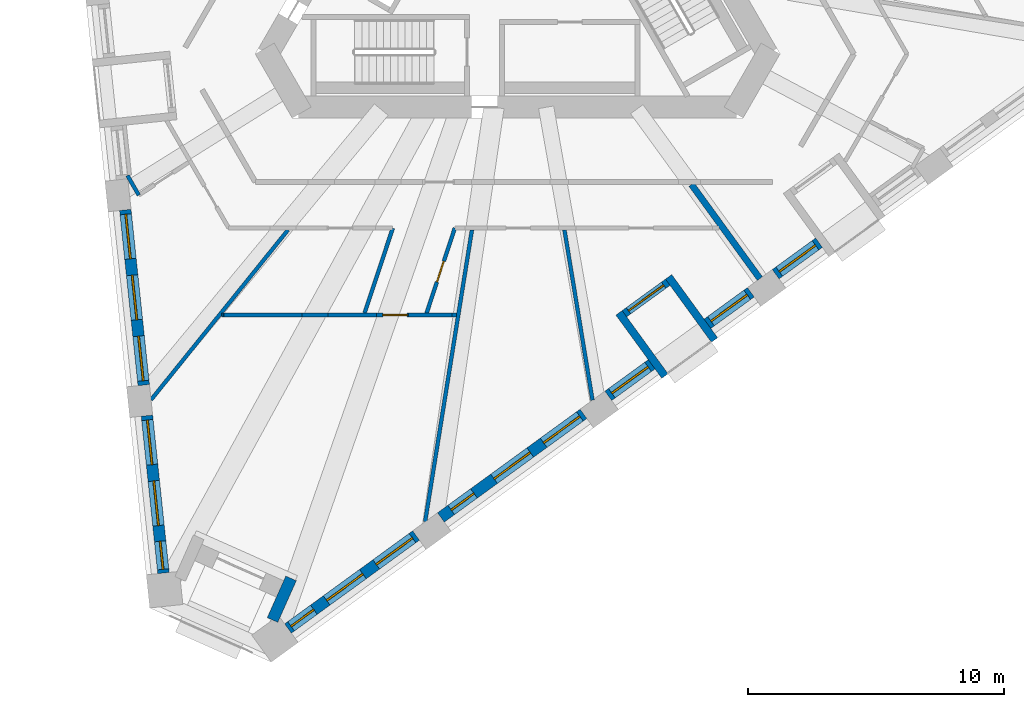
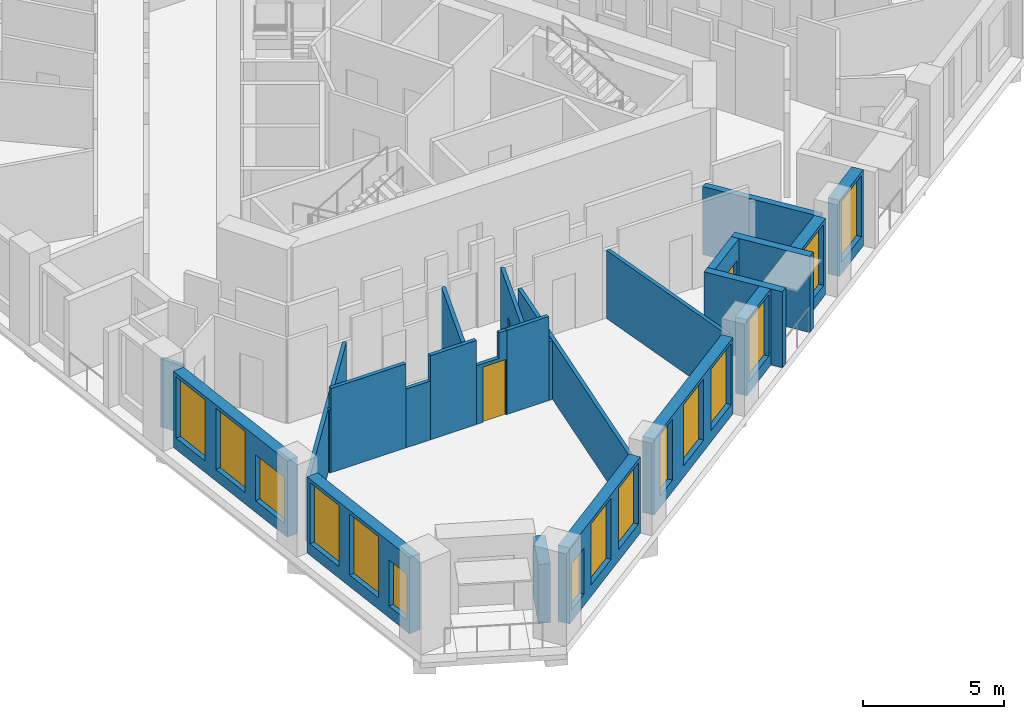
# One storey, part 2 of 14: 25 walls, 15 windows, 3 doors, 18 openings.
"""IFC4 building model written with IfcOpenShell, lengths in metres."""

from ifc_helpers import new_model, si_unit, direction, frame, frame_2d, origin, place, context, subcontext, project, spatial, polyline, rectangle, outline, extrude, material, layer, layer_set, type_object, element, fill, save


model = new_model("IFC4")

# Units and contexts
model_context = context("Model", 3, precision=1e-05, world=origin(), true_north=direction((0.0, 1.0)))
body_context = subcontext(model_context, "Body", "Model", "MODEL_VIEW")
ifc_project = project(units=[si_unit("LENGTHUNIT", "METRE"), si_unit("AREAUNIT", "SQUARE_METRE"), si_unit("VOLUMEUNIT", "CUBIC_METRE"), si_unit("PLANEANGLEUNIT", "RADIAN"), si_unit("MASSUNIT", "GRAM", prefix="KILO")], contexts=[model_context])

# Site, building, storey
site_placement = place(None, origin())
site = spatial("IfcSite", under=ifc_project, at=site_placement, CompositionType="ELEMENT")
building_placement = place(site_placement, origin())
building = spatial("IfcBuilding", under=site, at=building_placement, Name="Tramontana Tower", CompositionType="ELEMENT")
storey_placement = place(building_placement, frame((0.0, 0.0, 166.800048828125)))
storey = spatial("IfcBuildingStorey", under=building, at=storey_placement, Name="L38", CompositionType="ELEMENT", Elevation=166.800048828125)

# Wall, openings, windows
ifc_material_1 = material(Name="Precast concrete 60 MPa", Category="concrete")
ifc_layer_1 = layer(ifc_material_1, 0.449951171875)
ifc_layer_set_1 = layer_set([ifc_layer_1], Name="Precast concrete 60 MPa, 450 mm")
wall_type_1 = type_object("IfcWallType", Name="EW1 Stone-faced precast wall 450", PredefinedType="SOLIDWALL", material=ifc_layer_set_1)
wall_1_placement = place(storey_placement, frame((-15.327880859375, -10.341796875, 0.0), z_axis=(0.0, 0.0, 1.0), x_axis=(0.104531531326, -0.994521572898, 0.0)))
wall_1 = element("IfcWall", 1, at=wall_1_placement, inside=storey, type_object=wall_type_1, Name="External wall L38 face 0 bay 5", PredefinedType="SOLIDWALL", context=body_context, shape_type="SweptSolid", body=[
    extrude(rectangle(XDim=6.8828125, YDim=0.449951171875, at=frame_2d((3.44140625, 0.0))), origin(), (0.0, 0.0, 1.0), 3.300048828125),
])
opening_1_placement = place(wall_1_placement, frame((0.172119140625, 0.0, 0.5)))
opening_1 = element("IfcOpeningElement", 2, at=opening_1_placement, cuts=wall_1, Name="Opening M2", PredefinedType="OPENING", context=body_context, shape_type="SweptSolid", body=[
    extrude(rectangle(XDim=1.75, YDim=2.64990234375, at=frame_2d((0.875, 1.324951171875))), frame((0.0, 0.23486328125, 0.0), z_axis=(0.0, -1.0, 0.0), x_axis=(1.0, 0.0, 0.0)), (0.0, 0.0, 1.0), 0.469970703125),
])
opening_2_placement = place(wall_1_placement, frame((2.56640625, 0.0, 0.5)))
opening_2 = element("IfcOpeningElement", 3, at=opening_2_placement, cuts=wall_1, Name="Opening M2", PredefinedType="OPENING", context=body_context, shape_type="SweptSolid", body=[
    extrude(rectangle(XDim=1.75, YDim=2.64990234375, at=frame_2d((0.875, 1.324951171875))), frame((0.0, 0.23486328125, 0.0), z_axis=(0.0, -1.0, 0.0), x_axis=(1.0, 0.0, 0.0)), (0.0, 0.0, 1.0), 0.469970703125),
])
opening_3_placement = place(wall_1_placement, frame((4.960693359375, 0.0, 0.5)))
opening_3 = element("IfcOpeningElement", 4, at=opening_3_placement, cuts=wall_1, Name="Opening M2L", PredefinedType="OPENING", context=body_context, shape_type="SweptSolid", body=[
    extrude(rectangle(XDim=1.75, YDim=2.0, at=frame_2d((0.875, 1.0))), frame((0.0, 0.23486328125, 0.0), z_axis=(0.0, -1.0, 0.0), x_axis=(1.0, 0.0, 0.0)), (0.0, 0.0, 1.0), 0.469970703125),
])
ifc_material_2 = material(Name="Aluminum frame, double glazing unit", Category="aluminium")
window_type_1 = type_object("IfcWindowType", Name="M2 Window 1.75 x 2.65", PartitioningType="SINGLE_PANEL", PredefinedType="WINDOW", material=ifc_material_2)
window_1_placement = place(opening_1_placement, origin())
window_1 = element("IfcWindow", 5, at=window_1_placement, inside=storey, type_object=window_type_1, Name="Window M2 L38 face 0 module 13", OverallHeight=2.64990234375, OverallWidth=1.75, PartitioningType="SINGLE_PANEL", PredefinedType="WINDOW", context=body_context, shape_type="SweptSolid", body=[
    extrude(rectangle(XDim=1.75, YDim=2.64990234375, at=frame_2d((0.875, 1.324951171875))), frame((0.0, 0.030029296875, 0.0), z_axis=(0.0, -1.0, 0.0), x_axis=(1.0, 0.0, 0.0)), (0.0, 0.0, 1.0), 0.06005859375),
])
fill(opening_1, window_1)
window_2_placement = place(opening_2_placement, origin())
window_2 = element("IfcWindow", 6, at=window_2_placement, inside=storey, type_object=window_type_1, Name="Window M2 L38 face 0 module 14", OverallHeight=2.64990234375, OverallWidth=1.75, PartitioningType="SINGLE_PANEL", PredefinedType="WINDOW", context=body_context, shape_type="SweptSolid", body=[
    extrude(rectangle(XDim=1.75, YDim=2.64990234375, at=frame_2d((0.875, 1.324951171875))), frame((0.0, 0.030029296875, 0.0), z_axis=(0.0, -1.0, 0.0), x_axis=(1.0, 0.0, 0.0)), (0.0, 0.0, 1.0), 0.06005859375),
])
fill(opening_2, window_2)
ifc_material_3 = material(Name="Aluminum frame, double glazing unit", Category="aluminium")
window_type_2 = type_object("IfcWindowType", Name="M2L Window 1.75 x 2", PartitioningType="SINGLE_PANEL", PredefinedType="WINDOW", material=ifc_material_3)
window_3_placement = place(opening_3_placement, origin())
window_3 = element("IfcWindow", 7, at=window_3_placement, inside=storey, type_object=window_type_2, Name="Window M2L L38 face 0 module 15", OverallHeight=2.0, OverallWidth=1.75, PartitioningType="SINGLE_PANEL", PredefinedType="WINDOW", context=body_context, shape_type="SweptSolid", body=[
    extrude(rectangle(XDim=1.75, YDim=2.0, at=frame_2d((0.875, 1.0))), frame((0.0, 0.030029296875, 0.0), z_axis=(0.0, -1.0, 0.0), x_axis=(1.0, 0.0, 0.0)), (0.0, 0.0, 1.0), 0.06005859375),
])
fill(opening_3, window_3)

wall_2_placement = place(storey_placement, frame((-14.483154296875, -18.38037109375, 0.0), z_axis=(0.0, 0.0, 1.0), x_axis=(0.104557348575, -0.994518858976, 0.0)))
wall_2 = element("IfcWall", 8, at=wall_2_placement, inside=storey, type_object=wall_type_1, Name="External wall L38 face 0 bay 6", PredefinedType="SOLIDWALL", context=body_context, shape_type="SweptSolid", body=[
    extrude(rectangle(XDim=6.18310546875, YDim=0.449951171875, at=frame_2d((3.091552734375, 0.0))), origin(), (0.0, 0.0, 1.0), 3.300048828125),
])
opening_4_placement = place(wall_2_placement, frame((0.172119140625, 0.0, 0.5)))
opening_4 = element("IfcOpeningElement", 9, at=opening_4_placement, cuts=wall_2, Name="Opening M2", PredefinedType="OPENING", context=body_context, shape_type="SweptSolid", body=[
    extrude(rectangle(XDim=1.75, YDim=2.64990234375, at=frame_2d((0.875, 1.324951171875))), frame((0.0, 0.23486328125, 0.0), z_axis=(0.0, -1.0, 0.0), x_axis=(1.0, 0.0, 0.0)), (0.0, 0.0, 1.0), 0.469970703125),
])
opening_5_placement = place(wall_2_placement, frame((2.56640625, 0.0, 0.5)))
opening_5 = element("IfcOpeningElement", 10, at=opening_5_placement, cuts=wall_2, Name="Opening M2", PredefinedType="OPENING", context=body_context, shape_type="SweptSolid", body=[
    extrude(rectangle(XDim=1.75, YDim=2.64990234375, at=frame_2d((0.875, 1.324951171875))), frame((0.0, 0.23486328125, 0.0), z_axis=(0.0, -1.0, 0.0), x_axis=(1.0, 0.0, 0.0)), (0.0, 0.0, 1.0), 0.469970703125),
])
opening_6_placement = place(wall_2_placement, frame((4.935791015625, 0.0, 0.5)))
opening_6 = element("IfcOpeningElement", 11, at=opening_6_placement, cuts=wall_2, Name="Opening N2L", PredefinedType="OPENING", context=body_context, shape_type="SweptSolid", body=[
    extrude(rectangle(XDim=1.10009765625, YDim=2.0, at=frame_2d((0.550048828125, 1.0))), frame((0.0, 0.23486328125, 0.0), z_axis=(0.0, -1.0, 0.0), x_axis=(1.0, 0.0, 0.0)), (0.0, 0.0, 1.0), 0.469970703125),
])
window_4_placement = place(opening_4_placement, origin())
window_4 = element("IfcWindow", 12, at=window_4_placement, inside=storey, type_object=window_type_1, Name="Window M2 L38 face 0 module 16", OverallHeight=2.64990234375, OverallWidth=1.75, PartitioningType="SINGLE_PANEL", PredefinedType="WINDOW", context=body_context, shape_type="SweptSolid", body=[
    extrude(rectangle(XDim=1.75, YDim=2.64990234375, at=frame_2d((0.875, 1.324951171875))), frame((0.0, 0.030029296875, 0.0), z_axis=(0.0, -1.0, 0.0), x_axis=(1.0, 0.0, 0.0)), (0.0, 0.0, 1.0), 0.06005859375),
])
fill(opening_4, window_4)
window_5_placement = place(opening_5_placement, origin())
window_5 = element("IfcWindow", 13, at=window_5_placement, inside=storey, type_object=window_type_1, Name="Window M2 L38 face 0 module 17", OverallHeight=2.64990234375, OverallWidth=1.75, PartitioningType="SINGLE_PANEL", PredefinedType="WINDOW", context=body_context, shape_type="SweptSolid", body=[
    extrude(rectangle(XDim=1.75, YDim=2.64990234375, at=frame_2d((0.875, 1.324951171875))), frame((0.0, 0.030029296875, 0.0), z_axis=(0.0, -1.0, 0.0), x_axis=(1.0, 0.0, 0.0)), (0.0, 0.0, 1.0), 0.06005859375),
])
fill(opening_5, window_5)
ifc_material_4 = material(Name="Aluminum frame, double glazing unit", Category="aluminium")
window_type_3 = type_object("IfcWindowType", Name="N2L Window 1.1 x 2", PartitioningType="SINGLE_PANEL", PredefinedType="WINDOW", material=ifc_material_4)
window_6_placement = place(opening_6_placement, origin())
window_6 = element("IfcWindow", 14, at=window_6_placement, inside=storey, type_object=window_type_3, Name="Window N2L L38 face 0 module 18", OverallHeight=2.0, OverallWidth=1.10009765625, PartitioningType="SINGLE_PANEL", PredefinedType="WINDOW", context=body_context, shape_type="SweptSolid", body=[
    extrude(rectangle(XDim=1.10009765625, YDim=2.0, at=frame_2d((0.550048828125, 1.0))), frame((0.0, 0.030029296875, 0.0), z_axis=(0.0, -1.0, 0.0), x_axis=(1.0, 0.0, 0.0)), (0.0, 0.0, 1.0), 0.06005859375),
])
fill(opening_6, window_6)

wall_3_placement = place(storey_placement, frame((-8.97021484375, -26.696044921875, 0.0), z_axis=(0.0, 0.0, 1.0), x_axis=(0.809024567544, 0.587774828578, 0.0)))
wall_3 = element("IfcWall", 15, at=wall_3_placement, inside=storey, type_object=wall_type_1, Name="External wall L38 face 1 bay 1", PredefinedType="SOLIDWALL", context=body_context, shape_type="SweptSolid", body=[
    extrude(rectangle(XDim=6.1826171875, YDim=0.449951171875, at=frame_2d((3.09130859375, 0.0))), origin(), (0.0, 0.0, 1.0), 3.300048828125),
])
opening_7_placement = place(wall_3_placement, frame((0.147216796875, 0.0, 0.5)))
opening_7 = element("IfcOpeningElement", 16, at=opening_7_placement, cuts=wall_3, Name="Opening N2L", PredefinedType="OPENING", context=body_context, shape_type="SweptSolid", body=[
    extrude(rectangle(XDim=1.10009765625, YDim=2.0, at=frame_2d((0.550048828125, 1.0))), frame((0.0, 0.23486328125, 0.0), z_axis=(0.0, -1.0, 0.0), x_axis=(1.0, 0.0, 0.0)), (0.0, 0.0, 1.0), 0.469970703125),
])
opening_8_placement = place(wall_3_placement, frame((1.866455078125, 0.0, 0.5)))
opening_8 = element("IfcOpeningElement", 17, at=opening_8_placement, cuts=wall_3, Name="Opening M2", PredefinedType="OPENING", context=body_context, shape_type="SweptSolid", body=[
    extrude(rectangle(XDim=1.75, YDim=2.64990234375, at=frame_2d((0.875, 1.324951171875))), frame((0.0, 0.23486328125, 0.0), z_axis=(0.0, -1.0, 0.0), x_axis=(1.0, 0.0, 0.0)), (0.0, 0.0, 1.0), 0.469970703125),
])
opening_9_placement = place(wall_3_placement, frame((4.2607421875, 0.0, 0.5)))
opening_9 = element("IfcOpeningElement", 18, at=opening_9_placement, cuts=wall_3, Name="Opening M2", PredefinedType="OPENING", context=body_context, shape_type="SweptSolid", body=[
    extrude(rectangle(XDim=1.75, YDim=2.64990234375, at=frame_2d((0.875, 1.324951171875))), frame((0.0, 0.23486328125, 0.0), z_axis=(0.0, -1.0, 0.0), x_axis=(1.0, 0.0, 0.0)), (0.0, 0.0, 1.0), 0.469970703125),
])
window_7_placement = place(opening_8_placement, origin())
window_7 = element("IfcWindow", 19, at=window_7_placement, inside=storey, type_object=window_type_1, Name="Window M2 L38 face 1 module 2", OverallHeight=2.64990234375, OverallWidth=1.75, PartitioningType="SINGLE_PANEL", PredefinedType="WINDOW", context=body_context, shape_type="SweptSolid", body=[
    extrude(rectangle(XDim=1.75, YDim=2.64990234375, at=frame_2d((0.875, 1.324951171875))), frame((0.0, 0.030029296875, 0.0), z_axis=(0.0, -1.0, 0.0), x_axis=(1.0, 0.0, 0.0)), (0.0, 0.0, 1.0), 0.06005859375),
])
fill(opening_8, window_7)
window_8_placement = place(opening_9_placement, origin())
window_8 = element("IfcWindow", 20, at=window_8_placement, inside=storey, type_object=window_type_1, Name="Window M2 L38 face 1 module 3", OverallHeight=2.64990234375, OverallWidth=1.75, PartitioningType="SINGLE_PANEL", PredefinedType="WINDOW", context=body_context, shape_type="SweptSolid", body=[
    extrude(rectangle(XDim=1.75, YDim=2.64990234375, at=frame_2d((0.875, 1.324951171875))), frame((0.0, 0.030029296875, 0.0), z_axis=(0.0, -1.0, 0.0), x_axis=(1.0, 0.0, 0.0)), (0.0, 0.0, 1.0), 0.06005859375),
])
fill(opening_9, window_8)
window_9_placement = place(opening_7_placement, origin())
window_9 = element("IfcWindow", 21, at=window_9_placement, inside=storey, type_object=window_type_3, Name="Window N2L L38 face 1 module 1", OverallHeight=2.0, OverallWidth=1.10009765625, PartitioningType="SINGLE_PANEL", PredefinedType="WINDOW", context=body_context, shape_type="SweptSolid", body=[
    extrude(rectangle(XDim=1.10009765625, YDim=2.0, at=frame_2d((0.550048828125, 1.0))), frame((0.0, 0.030029296875, 0.0), z_axis=(0.0, -1.0, 0.0), x_axis=(1.0, 0.0, 0.0)), (0.0, 0.0, 1.0), 0.06005859375),
])
fill(opening_7, window_9)

wall_4_placement = place(storey_placement, frame((-2.997314453125, -22.3564453125, 0.0), z_axis=(0.0, 0.0, 1.0), x_axis=(0.809016690404, 0.587785670672, 0.0)))
wall_4 = element("IfcWall", 22, at=wall_4_placement, inside=storey, type_object=wall_type_1, Name="External wall L38 face 1 bay 2", PredefinedType="SOLIDWALL", context=body_context, shape_type="SweptSolid", body=[
    extrude(rectangle(XDim=6.8828125, YDim=0.449951171875, at=frame_2d((3.44140625, 0.0))), origin(), (0.0, 0.0, 1.0), 3.300048828125),
])
opening_10_placement = place(wall_4_placement, frame((0.4970703125, 0.0, 0.5)))
opening_10 = element("IfcOpeningElement", 23, at=opening_10_placement, cuts=wall_4, Name="Opening N2", PredefinedType="OPENING", context=body_context, shape_type="SweptSolid", body=[
    extrude(rectangle(XDim=1.10009765625, YDim=2.64990234375, at=frame_2d((0.550048828125, 1.324951171875))), frame((0.0, 0.23486328125, 0.0), z_axis=(0.0, -1.0, 0.0), x_axis=(1.0, 0.0, 0.0)), (0.0, 0.0, 1.0), 0.469970703125),
])
opening_11_placement = place(wall_4_placement, frame((2.56640625, 0.0, 0.5)))
opening_11 = element("IfcOpeningElement", 24, at=opening_11_placement, cuts=wall_4, Name="Opening M2", PredefinedType="OPENING", context=body_context, shape_type="SweptSolid", body=[
    extrude(rectangle(XDim=1.75, YDim=2.64990234375, at=frame_2d((0.875, 1.324951171875))), frame((0.0, 0.23486328125, 0.0), z_axis=(0.0, -1.0, 0.0), x_axis=(1.0, 0.0, 0.0)), (0.0, 0.0, 1.0), 0.469970703125),
])
opening_12_placement = place(wall_4_placement, frame((4.960693359375, 0.0, 0.5)))
opening_12 = element("IfcOpeningElement", 25, at=opening_12_placement, cuts=wall_4, Name="Opening M2", PredefinedType="OPENING", context=body_context, shape_type="SweptSolid", body=[
    extrude(rectangle(XDim=1.75, YDim=2.64990234375, at=frame_2d((0.875, 1.324951171875))), frame((0.0, 0.23486328125, 0.0), z_axis=(0.0, -1.0, 0.0), x_axis=(1.0, 0.0, 0.0)), (0.0, 0.0, 1.0), 0.469970703125),
])
window_10_placement = place(opening_11_placement, origin())
window_10 = element("IfcWindow", 26, at=window_10_placement, inside=storey, type_object=window_type_1, Name="Window M2 L38 face 1 module 5", OverallHeight=2.64990234375, OverallWidth=1.75, PartitioningType="SINGLE_PANEL", PredefinedType="WINDOW", context=body_context, shape_type="SweptSolid", body=[
    extrude(rectangle(XDim=1.75, YDim=2.64990234375, at=frame_2d((0.875, 1.324951171875))), frame((0.0, 0.030029296875, 0.0), z_axis=(0.0, -1.0, 0.0), x_axis=(1.0, 0.0, 0.0)), (0.0, 0.0, 1.0), 0.06005859375),
])
fill(opening_11, window_10)
window_11_placement = place(opening_12_placement, origin())
window_11 = element("IfcWindow", 27, at=window_11_placement, inside=storey, type_object=window_type_1, Name="Window M2 L38 face 1 module 6", OverallHeight=2.64990234375, OverallWidth=1.75, PartitioningType="SINGLE_PANEL", PredefinedType="WINDOW", context=body_context, shape_type="SweptSolid", body=[
    extrude(rectangle(XDim=1.75, YDim=2.64990234375, at=frame_2d((0.875, 1.324951171875))), frame((0.0, 0.030029296875, 0.0), z_axis=(0.0, -1.0, 0.0), x_axis=(1.0, 0.0, 0.0)), (0.0, 0.0, 1.0), 0.06005859375),
])
fill(opening_12, window_11)
ifc_material_5 = material(Name="Aluminum frame, double glazing unit", Category="aluminium")
window_type_4 = type_object("IfcWindowType", Name="N2 Window 1.1 x 2.65", PartitioningType="SINGLE_PANEL", PredefinedType="WINDOW", material=ifc_material_5)
window_12_placement = place(opening_10_placement, origin())
window_12 = element("IfcWindow", 28, at=window_12_placement, inside=storey, type_object=window_type_4, Name="Window N2 L38 face 1 module 4", OverallHeight=2.64990234375, OverallWidth=1.10009765625, PartitioningType="SINGLE_PANEL", PredefinedType="WINDOW", context=body_context, shape_type="SweptSolid", body=[
    extrude(rectangle(XDim=1.10009765625, YDim=2.64990234375, at=frame_2d((0.550048828125, 1.324951171875))), frame((0.0, 0.030029296875, 0.0), z_axis=(0.0, -1.0, 0.0), x_axis=(1.0, 0.0, 0.0)), (0.0, 0.0, 1.0), 0.06005859375),
])
fill(opening_10, window_12)

# Wall, opening, window
wall_5_placement = place(storey_placement, frame((3.541748046875, -17.60546875, 0.0), z_axis=(0.0, 0.0, 1.0), x_axis=(0.809028366311, 0.587769599847, 0.0)))
wall_5 = element("IfcWall", 29, at=wall_5_placement, inside=storey, type_object=wall_type_1, Name="External wall L38 face 1 bay 3", PredefinedType="SOLIDWALL", context=body_context, shape_type="SweptSolid", body=[
    extrude(rectangle(XDim=2.09423828125, YDim=0.449951171875, at=frame_2d((1.047119140625, 0.0))), origin(), (0.0, 0.0, 1.0), 3.300048828125),
])
opening_13_placement = place(wall_5_placement, frame((0.172119140625, 0.0, 0.5)))
opening_13 = element("IfcOpeningElement", 30, at=opening_13_placement, cuts=wall_5, Name="Opening M2", PredefinedType="OPENING", context=body_context, shape_type="SweptSolid", body=[
    extrude(rectangle(XDim=1.75, YDim=2.64990234375, at=frame_2d((0.875, 1.324951171875))), frame((0.0, 0.23486328125, 0.0), z_axis=(0.0, -1.0, 0.0), x_axis=(1.0, 0.0, 0.0)), (0.0, 0.0, 1.0), 0.469970703125),
])
window_13_placement = place(opening_13_placement, origin())
window_13 = element("IfcWindow", 31, at=window_13_placement, inside=storey, type_object=window_type_1, Name="Window M2 L38 face 1 module 7", OverallHeight=2.64990234375, OverallWidth=1.75, PartitioningType="SINGLE_PANEL", PredefinedType="WINDOW", context=body_context, shape_type="SweptSolid", body=[
    extrude(rectangle(XDim=1.75, YDim=2.64990234375, at=frame_2d((0.875, 1.324951171875))), frame((0.0, 0.030029296875, 0.0), z_axis=(0.0, -1.0, 0.0), x_axis=(1.0, 0.0, 0.0)), (0.0, 0.0, 1.0), 0.06005859375),
])
fill(opening_13, window_13)

wall_6_placement = place(storey_placement, frame((7.415771484375, -14.790771484375, 0.0), z_axis=(0.0, 0.0, 1.0), x_axis=(0.809028366311, 0.587769599847, 0.0)))
wall_6 = element("IfcWall", 32, at=wall_6_placement, inside=storey, type_object=wall_type_1, Name="External wall L38 face 1 bay 3", PredefinedType="SOLIDWALL", context=body_context, shape_type="SweptSolid", body=[
    extrude(rectangle(XDim=2.09423828125, YDim=0.449951171875, at=frame_2d((1.047119140625, 0.0))), origin(), (0.0, 0.0, 1.0), 3.300048828125),
])
opening_14_placement = place(wall_6_placement, frame((0.172119140625, 0.0, 0.5)))
opening_14 = element("IfcOpeningElement", 33, at=opening_14_placement, cuts=wall_6, Name="Opening M2", PredefinedType="OPENING", context=body_context, shape_type="SweptSolid", body=[
    extrude(rectangle(XDim=1.75, YDim=2.64990234375, at=frame_2d((0.875, 1.324951171875))), frame((0.0, 0.23486328125, 0.0), z_axis=(0.0, -1.0, 0.0), x_axis=(1.0, 0.0, 0.0)), (0.0, 0.0, 1.0), 0.469970703125),
])
window_14_placement = place(opening_14_placement, origin())
window_14 = element("IfcWindow", 34, at=window_14_placement, inside=storey, type_object=window_type_1, Name="Window M2 L38 face 1 module 9", OverallHeight=2.64990234375, OverallWidth=1.75, PartitioningType="SINGLE_PANEL", PredefinedType="WINDOW", context=body_context, shape_type="SweptSolid", body=[
    extrude(rectangle(XDim=1.75, YDim=2.64990234375, at=frame_2d((0.875, 1.324951171875))), frame((0.0, 0.030029296875, 0.0), z_axis=(0.0, -1.0, 0.0), x_axis=(1.0, 0.0, 0.0)), (0.0, 0.0, 1.0), 0.06005859375),
])
fill(opening_14, window_14)

wall_7_placement = place(storey_placement, frame((10.0810546875, -12.8544921875, 0.0), z_axis=(0.0, 0.0, 1.0), x_axis=(0.809028366311, 0.587769599847, 0.0)))
wall_7 = element("IfcWall", 35, at=wall_7_placement, inside=storey, type_object=wall_type_1, Name="External wall L38 face 1 bay 4", PredefinedType="SOLIDWALL", context=body_context, shape_type="SweptSolid", body=[
    extrude(rectangle(XDim=2.09423828125, YDim=0.449951171875, at=frame_2d((1.047119140625, 0.0))), origin(), (0.0, 0.0, 1.0), 3.300048828125),
])
opening_15_placement = place(wall_7_placement, frame((0.172119140625, 0.0, 0.5)))
opening_15 = element("IfcOpeningElement", 36, at=opening_15_placement, cuts=wall_7, Name="Opening M2", PredefinedType="OPENING", context=body_context, shape_type="SweptSolid", body=[
    extrude(rectangle(XDim=1.75, YDim=2.64990234375, at=frame_2d((0.875, 1.324951171875))), frame((0.0, 0.23486328125, 0.0), z_axis=(0.0, -1.0, 0.0), x_axis=(1.0, 0.0, 0.0)), (0.0, 0.0, 1.0), 0.469970703125),
])
window_15_placement = place(opening_15_placement, origin())
window_15 = element("IfcWindow", 37, at=window_15_placement, inside=storey, type_object=window_type_1, Name="Window M2 L38 face 1 module 10", OverallHeight=2.64990234375, OverallWidth=1.75, PartitioningType="SINGLE_PANEL", PredefinedType="WINDOW", context=body_context, shape_type="SweptSolid", body=[
    extrude(rectangle(XDim=1.75, YDim=2.64990234375, at=frame_2d((0.875, 1.324951171875))), frame((0.0, 0.030029296875, 0.0), z_axis=(0.0, -1.0, 0.0), x_axis=(1.0, 0.0, 0.0)), (0.0, 0.0, 1.0), 0.06005859375),
])
fill(opening_15, window_15)

# Wall
wall_8_placement = place(storey_placement, frame((-9.575927734375, -26.363525390625, 0.0), z_axis=(0.0, 0.0, 1.0), x_axis=(0.406749543613, 0.913539713844, 0.0)))
element("IfcWall", 38, at=wall_8_placement, inside=storey, type_object=wall_type_1, Name="Corner loggia side wall L38 K41l", PredefinedType="SOLIDWALL", context=body_context, shape_type="SweptSolid", body=[
    extrude(rectangle(XDim=1.779052734375, YDim=0.449951171875, at=frame_2d((0.8896484375, 0.0))), origin(), (0.0, 0.0, 1.0), 2.550048828125),
])

# Wall, opening, door
ifc_material_6 = material(Name="Precast concrete 60 MPa", Category="concrete")
ifc_layer_2 = layer(ifc_material_6, 0.300048828125)
ifc_layer_set_2 = layer_set([ifc_layer_2], Name="LW1 Stone-faced loggia wall 300")
wall_type_2 = type_object("IfcWallType", Name="LW1 Stone-faced loggia wall 300", PredefinedType="SOLIDWALL", material=ifc_layer_set_2)
wall_9_placement = place(storey_placement, frame((4.1708984375, -14.398193359375, 0.0), z_axis=(0.0, 0.0, 1.0), x_axis=(0.809028366311, 0.587769599847, 0.0)))
wall_9 = element("IfcWall", 39, at=wall_9_placement, inside=storey, type_object=wall_type_2, Name="Loggia wall L38 G4S1.7", PredefinedType="SOLIDWALL", context=body_context, shape_type="SweptSolid", body=[
    extrude(rectangle(XDim=2.09423828125, YDim=0.300048828125, at=frame_2d((1.047119140625, 0.0))), origin(), (0.0, 0.0, 1.0), 3.300048828125),
])
opening_16_placement = place(wall_9_placement, frame((0.197265625, 0.0, 0.0)))
opening_16 = element("IfcOpeningElement", 40, at=opening_16_placement, cuts=wall_9, Name="Opening BD-4S1-07", PredefinedType="OPENING", context=body_context, shape_type="SweptSolid", body=[
    extrude(rectangle(XDim=1.699951171875, YDim=2.449951171875, at=frame_2d((0.85009765625, 1.22509765625))), frame((0.0, 0.159912109375, 0.0), z_axis=(0.0, -1.0, 0.0), x_axis=(1.0, 0.0, 0.0)), (0.0, 0.0, 1.0), 0.320068359375),
])
ifc_material_7 = material(Name="Aluminum frame, double glazing unit", Category="aluminium")
door_type_1 = type_object("IfcDoorType", Name="BD2 Sliding door 1.7 x 2.45", OperationType="SLIDING_TO_LEFT", PredefinedType="DOOR", material=ifc_material_7)
door_1_placement = place(opening_16_placement, origin())
door_1 = element("IfcDoor", 41, at=door_1_placement, inside=storey, type_object=door_type_1, Name="Loggia door L38 G4S1.7", OperationType="SLIDING_TO_LEFT", OverallHeight=2.449951171875, OverallWidth=1.699951171875, PredefinedType="DOOR", context=body_context, shape_type="SweptSolid", body=[
    extrude(rectangle(XDim=1.699951171875, YDim=2.449951171875, at=frame_2d((0.85009765625, 1.22509765625))), frame((0.0, 0.02490234375, 0.0), z_axis=(0.0, -1.0, 0.0), x_axis=(1.0, 0.0, 0.0)), (0.0, 0.0, 1.0), 0.050048828125),
])
fill(opening_16, door_1)

# Walls
for number, where, z_axis, x_axis, name in (
    (42, (5.754150390625, -16.83251953125, 0.0), (0.0, 0.0, 1.0), (-0.587776590479, 0.80902328748, 0.0), "Loggia return L38 G4S1.7a"),
    (43, (7.691162109375, -15.425048828125, 0.0), (0.0, 0.0, 1.0), (-0.587776590479, 0.80902328748, 0.0), "Loggia return L38 G4S1.7b"),
):
    element("IfcWall", number, at=place(storey_placement, frame(where, z_axis=z_axis, x_axis=x_axis)), inside=storey, type_object=wall_type_2, Name=name, PredefinedType="SOLIDWALL", context=body_context, shape_type="SweptSolid", body=[
        extrude(rectangle(XDim=3.050048828125, YDim=0.300048828125, at=frame_2d((1.52490234375, 0.0))), origin(), (0.0, 0.0, 1.0), 3.300048828125),
    ])
ifc_material_8 = material(Name="Gypsum board partition")
ifc_layer_3 = layer(ifc_material_8, 0.14990234375)
ifc_layer_set_3 = layer_set([ifc_layer_3], Name="PARTITION 150")
wall_type_3 = type_object("IfcWallType", Name="PARTITION 150", PredefinedType="PARTITIONING", material=ifc_layer_set_3)
wall_10_placement = place(storey_placement, frame((-14.79931640625, -9.766845703125, 0.0), z_axis=(0.0, 0.0, 1.0), x_axis=(-0.500016243463, 0.866016025414, 0.0)))
element("IfcWall", 44, at=wall_10_placement, inside=storey, type_object=wall_type_3, Name="Wall v40-pw01-0", PredefinedType="PARTITIONING", context=body_context, shape_type="SweptSolid", body=[
    extrude(rectangle(XDim=0.88720703125, YDim=0.14990234375, at=frame_2d((0.443603515625, 0.0))), origin(), (0.0, 0.0, 1.0), 2.949951171875),
])
wall_11_placement = place(storey_placement, frame((-14.322021484375, -17.76025390625, 0.0), z_axis=(0.0, 0.0, 1.0), x_axis=(0.627722219301, 0.778437419062, 0.0)))
element("IfcWall", 45, at=wall_11_placement, inside=storey, type_object=wall_type_3, Name="Wall v40-pw02-0", PredefinedType="PARTITIONING", context=body_context, shape_type="SweptSolid", body=[
    extrude(rectangle(XDim=8.52392578125, YDim=0.14990234375, at=frame_2d((4.261962890625, 0.0))), origin(), (0.0, 0.0, 1.0), 2.75),
])
wall_12_placement = place(storey_placement, frame((-5.9794921875, -14.375, 0.0), z_axis=(0.0, 0.0, 1.0), x_axis=(0.314824942326, 0.94914975409, 0.0)))
element("IfcWall", 46, at=wall_12_placement, inside=storey, type_object=wall_type_3, Name="Wall v40-pw14", PredefinedType="PARTITIONING", context=body_context, shape_type="SweptSolid", body=[
    extrude(rectangle(XDim=3.4990234375, YDim=0.14990234375, at=frame_2d((1.74951171875, 0.0))), origin(), (0.0, 0.0, 1.0), 3.64990234375),
])

# Wall, opening, door
wall_13_placement = place(storey_placement, frame((-2.4541015625, -11.052001953125, 0.0), z_axis=(0.0, 0.0, 1.0), x_axis=(-0.314794041052, -0.949160003223, 0.0)))
wall_13 = element("IfcWall", 47, at=wall_13_placement, inside=storey, type_object=wall_type_3, Name="Wall v40-pw17", PredefinedType="PARTITIONING", context=body_context, shape_type="SweptSolid", body=[
    extrude(rectangle(XDim=3.576904296875, YDim=0.14990234375, at=frame_2d((1.78857421875, 0.0))), origin(), (0.0, 0.0, 1.0), 3.64990234375),
])
opening_17_placement = place(wall_13_placement, frame((1.363525390625, 0.0, 0.0)))
opening_17 = element("IfcOpeningElement", 48, at=opening_17_placement, cuts=wall_13, Name="Opening B4A-09", PredefinedType="OPENING", context=body_context, shape_type="SweptSolid", body=[
    extrude(rectangle(XDim=0.85009765625, YDim=2.39990234375, at=frame_2d((0.425048828125, 1.199951171875))), frame((0.0, 0.0849609375, 0.0), z_axis=(0.0, -1.0, 0.0), x_axis=(1.0, 0.0, 0.0)), (0.0, 0.0, 1.0), 0.169921875),
])
ifc_material_9 = material(Name="Painted timber", Category="wood")
door_type_2 = type_object("IfcDoorType", Name="DOOR BATH 850", OperationType="SINGLE_SWING_LEFT", PredefinedType="DOOR", material=ifc_material_9)
door_2_placement = place(opening_17_placement, origin())
door_2 = element("IfcDoor", 49, at=door_2_placement, inside=storey, type_object=door_type_2, Name="Door B4A-09", OperationType="SINGLE_SWING_LEFT", OverallHeight=2.39990234375, OverallWidth=0.85009765625, PredefinedType="DOOR", context=body_context, shape_type="SweptSolid", body=[
    extrude(rectangle(XDim=0.85009765625, YDim=2.39990234375, at=frame_2d((0.425048828125, 1.199951171875))), frame((0.0, 0.02490234375, 0.0), z_axis=(0.0, -1.0, 0.0), x_axis=(1.0, 0.0, 0.0)), (0.0, 0.0, 1.0), 0.050048828125),
])
fill(opening_17, door_2)

# Walls
wall_14_placement = place(storey_placement, frame((-2.394775390625, -14.449951171875, 0.0), z_axis=(0.0, 0.0, 1.0), x_axis=(-1.0, 0.0, 0.0)))
element("IfcWall", 50, at=wall_14_placement, inside=storey, type_object=wall_type_3, Name="Wall v40-pw18-0", PredefinedType="PARTITIONING", context=body_context, shape_type="SweptSolid", body=[
    extrude(rectangle(XDim=0.162353515625, YDim=0.14990234375, at=frame_2d((0.0810546875, 0.0))), origin(), (0.0, 0.0, 1.0), 2.550048828125),
])
wall_15_placement = place(storey_placement, frame((-2.55712890625, -14.449951171875, 0.0), z_axis=(0.0, 0.0, 1.0), x_axis=(-1.0, 0.0, 0.0)))
element("IfcWall", 51, at=wall_15_placement, inside=storey, type_object=wall_type_3, Name="Wall v40-pw18-1", PredefinedType="PARTITIONING", context=body_context, shape_type="SweptSolid", body=[
    extrude(rectangle(XDim=1.710205078125, YDim=0.14990234375, at=frame_2d((0.85498046875, 0.0))), origin(), (0.0, 0.0, 1.0), 3.64990234375),
])

# Wall, opening, door
wall_16_placement = place(storey_placement, frame((-4.267333984375, -14.449951171875, 0.0), z_axis=(0.0, 0.0, 1.0), x_axis=(-1.0, 0.0, 0.0)))
wall_16 = element("IfcWall", 52, at=wall_16_placement, inside=storey, type_object=wall_type_3, Name="Wall v40-pw18-2", PredefinedType="PARTITIONING", context=body_context, shape_type="SweptSolid", body=[
    extrude(outline(polyline([(0.0, 0.0), (1.252197265625, 0.0), (1.252197265625, 2.550048828125), (0.3251953125, 2.550048828125), (0.3251953125, 3.64990234375), (0.0, 3.64990234375), (0.0, 0.0)])), frame((0.0, 0.074951171875, 0.0), z_axis=(0.0, -1.0, 0.0), x_axis=(1.0, 0.0, 0.0)), (0.0, 0.0, 1.0), 0.14990234375),
])
opening_18_placement = place(wall_16_placement, frame((0.050048828125, 0.0, 0.0)))
opening_18 = element("IfcOpeningElement", 53, at=opening_18_placement, cuts=wall_16, Name="Opening B4A-10", PredefinedType="OPENING", context=body_context, shape_type="SweptSolid", body=[
    extrude(rectangle(XDim=0.949951171875, YDim=2.39990234375, at=frame_2d((0.47509765625, 1.199951171875))), frame((0.0, 0.0849609375, 0.0), z_axis=(0.0, -1.0, 0.0), x_axis=(1.0, 0.0, 0.0)), (0.0, 0.0, 1.0), 0.169921875),
])
ifc_material_10 = material(Name="Painted timber", Category="wood")
door_type_3 = type_object("IfcDoorType", Name="DOOR ROOM 950", OperationType="SINGLE_SWING_LEFT", PredefinedType="DOOR", material=ifc_material_10)
door_3_placement = place(opening_18_placement, origin())
door_3 = element("IfcDoor", 54, at=door_3_placement, inside=storey, type_object=door_type_3, Name="Door B4A-10", OperationType="SINGLE_SWING_RIGHT", OverallHeight=2.39990234375, OverallWidth=0.949951171875, PredefinedType="DOOR", context=body_context, shape_type="SweptSolid", body=[
    extrude(rectangle(XDim=0.949951171875, YDim=2.39990234375, at=frame_2d((0.47509765625, 1.199951171875))), frame((0.0, 0.02490234375, 0.0), z_axis=(0.0, -1.0, 0.0), x_axis=(1.0, 0.0, 0.0)), (0.0, 0.0, 1.0), 0.050048828125),
])
fill(opening_18, door_3)

# Walls
wall_17_placement = place(storey_placement, frame((-5.51953125, -14.449951171875, 0.0), z_axis=(0.0, 0.0, 1.0), x_axis=(-1.0, 0.0, 0.0)))
element("IfcWall", 55, at=wall_17_placement, inside=storey, type_object=wall_type_3, Name="Wall v40-pw18-3", PredefinedType="PARTITIONING", context=body_context, shape_type="SweptSolid", body=[
    extrude(rectangle(XDim=1.89794921875, YDim=0.14990234375, at=frame_2d((0.948974609375, 0.0))), origin(), (0.0, 0.0, 1.0), 3.64990234375),
])
wall_18_placement = place(storey_placement, frame((-7.41748046875, -14.449951171875, 0.0), z_axis=(0.0, 0.0, 1.0), x_axis=(-1.0, 0.0, 0.0)))
element("IfcWall", 56, at=wall_18_placement, inside=storey, type_object=wall_type_3, Name="Wall v40-pw18-4", PredefinedType="PARTITIONING", context=body_context, shape_type="SweptSolid", body=[
    extrude(rectangle(XDim=0.99755859375, YDim=0.14990234375, at=frame_2d((0.498779296875, 0.0))), origin(), (0.0, 0.0, 1.0), 2.550048828125),
])
wall_19_placement = place(storey_placement, frame((-8.4150390625, -14.449951171875, 0.0), z_axis=(0.0, 0.0, 1.0), x_axis=(-1.0, 0.0, 0.0)))
element("IfcWall", 57, at=wall_19_placement, inside=storey, type_object=wall_type_3, Name="Wall v40-pw18-5", PredefinedType="PARTITIONING", context=body_context, shape_type="SweptSolid", body=[
    extrude(rectangle(XDim=3.066650390625, YDim=0.14990234375, at=frame_2d((1.533203125, 0.0))), origin(), (0.0, 0.0, 1.0), 3.64990234375),
])
wall_20_placement = place(storey_placement, frame((-11.481689453125, -14.449951171875, 0.0), z_axis=(0.0, 0.0, 1.0), x_axis=(-1.0, 0.0, 0.0)))
element("IfcWall", 58, at=wall_20_placement, inside=storey, type_object=wall_type_3, Name="Wall v40-pw18-6", PredefinedType="PARTITIONING", context=body_context, shape_type="SweptSolid", body=[
    extrude(rectangle(XDim=0.07470703125, YDim=0.14990234375, at=frame_2d((0.037353515625, 0.0))), origin(), (0.0, 0.0, 1.0), 2.75),
])
wall_21_placement = place(storey_placement, frame((-1.785400390625, -11.125, 0.0), z_axis=(0.0, 0.0, 1.0), x_axis=(-0.158434092998, -0.987369555018, 0.0)))
element("IfcWall", 59, at=wall_21_placement, inside=storey, type_object=wall_type_3, Name="Wall v40-pw19-0", PredefinedType="PARTITIONING", context=body_context, shape_type="SweptSolid", body=[
    extrude(rectangle(XDim=11.5478515625, YDim=0.14990234375, at=frame_2d((5.77392578125, 0.0))), origin(), (0.0, 0.0, 1.0), 2.550048828125),
])
wall_22_placement = place(storey_placement, frame((1.830078125, -11.125, 0.0), z_axis=(0.0, 0.0, 1.0), x_axis=(0.162301772149, -0.98674116908, 0.0)))
element("IfcWall", 60, at=wall_22_placement, inside=storey, type_object=wall_type_3, Name="Wall v40-pw23-0", PredefinedType="PARTITIONING", context=body_context, shape_type="SweptSolid", body=[
    extrude(rectangle(XDim=6.740478515625, YDim=0.14990234375, at=frame_2d((3.3701171875, 0.0))), origin(), (0.0, 0.0, 1.0), 2.949951171875),
])
ifc_material_11 = material(Name="Blockwork", Category="masonry")
ifc_layer_4 = layer(ifc_material_11, 0.25)
ifc_layer_set_4 = layer_set([ifc_layer_4], Name="PARTY WALL 250")
wall_type_4 = type_object("IfcWallType", Name="PARTY WALL 250", PredefinedType="SOLIDWALL", material=ifc_layer_set_4)
wall_23_placement = place(storey_placement, frame((6.793212890625, -9.35009765625, 0.0), z_axis=(0.0, 0.0, 1.0), x_axis=(0.587797751126, -0.809007913294, 0.0)))
element("IfcWall", 61, at=wall_23_placement, inside=storey, type_object=wall_type_4, Name="Wall v40-pw26-0", PredefinedType="SOLIDWALL", context=body_context, shape_type="SweptSolid", body=[
    extrude(rectangle(XDim=4.542724609375, YDim=0.25, at=frame_2d((2.271484375, 0.0))), origin(), (0.0, 0.0, 1.0), 2.949951171875),
])

save(model, "model.ifc")
